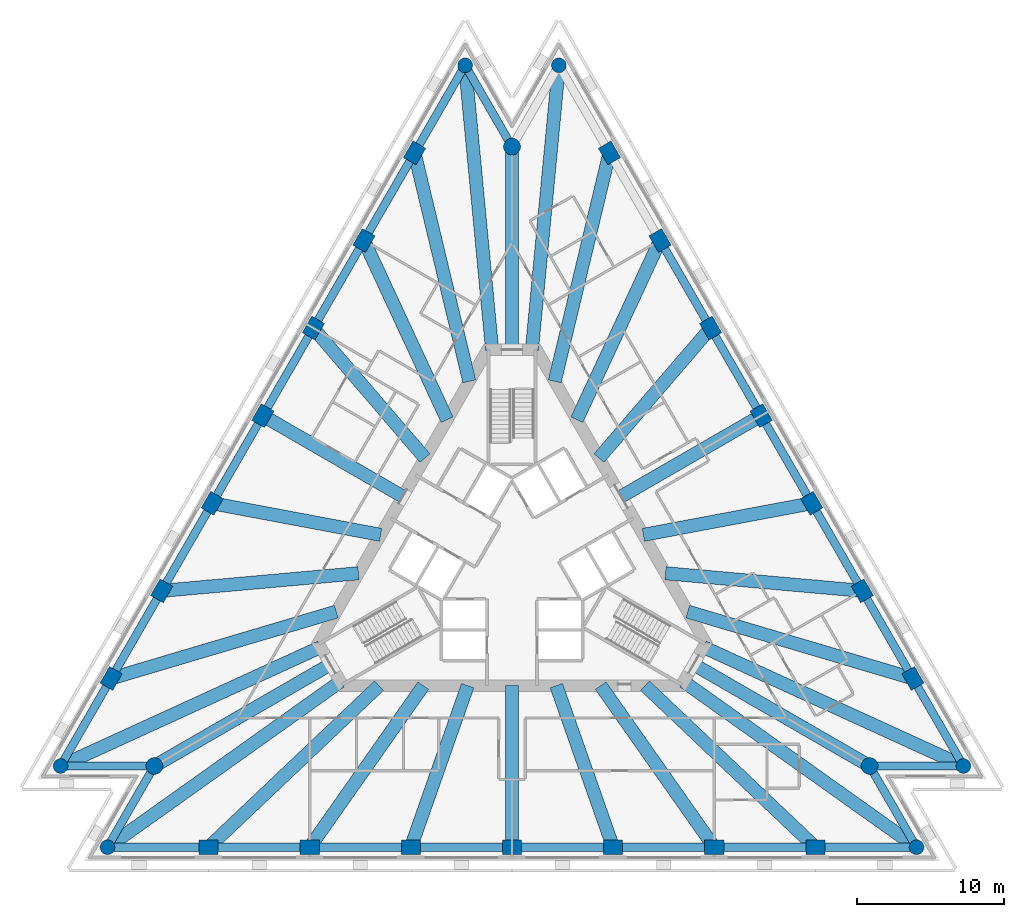
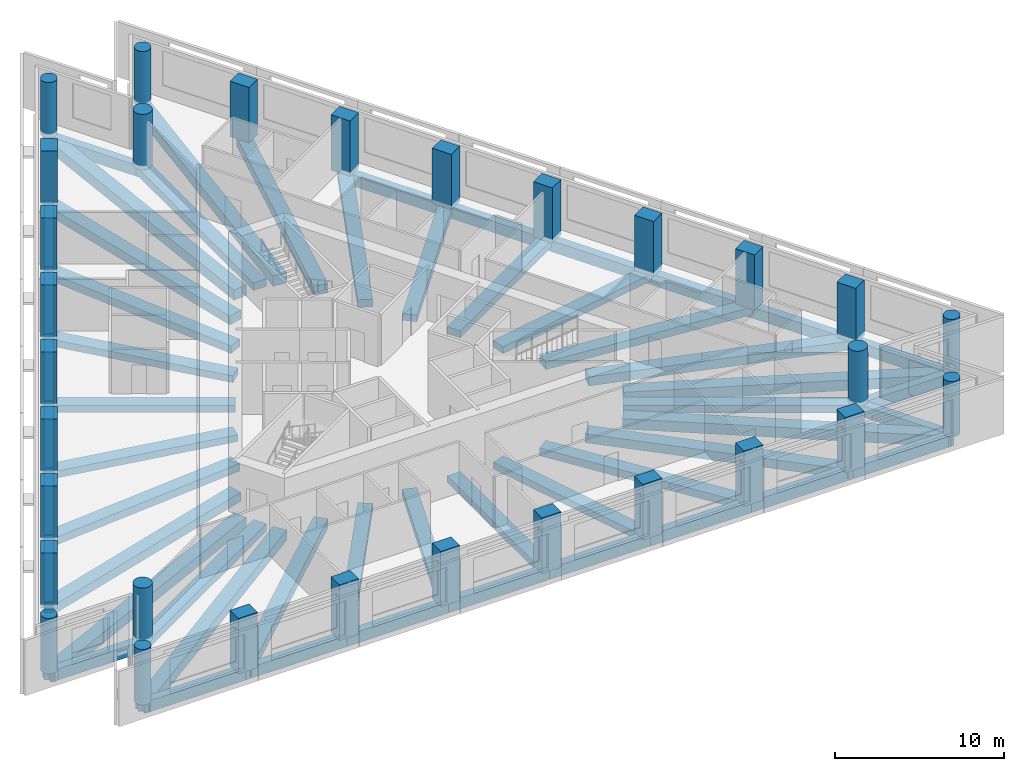
# One storey, part 1 of 10: 57 beams, 30 columns.
"""IFC4 building model written with IfcOpenShell, lengths in metres."""

from ifc_helpers import new_model, si_unit, direction, frame, origin, origin_2d, place, context, subcontext, project, spatial, rectangle, circle, extrude, material, material_profile, profile_set, type_object, element, save


model = new_model("IFC4")

# Units and contexts
model_context = context("Model", 3, precision=1e-05, world=origin(), true_north=direction((0.0, 1.0)))
body_context = subcontext(model_context, "Body", "Model", "MODEL_VIEW")
ifc_project = project(units=[si_unit("LENGTHUNIT", "METRE"), si_unit("AREAUNIT", "SQUARE_METRE"), si_unit("VOLUMEUNIT", "CUBIC_METRE"), si_unit("PLANEANGLEUNIT", "RADIAN"), si_unit("MASSUNIT", "GRAM", prefix="KILO")], contexts=[model_context])

# Site, building, storey
site_placement = place(None, origin())
site = spatial("IfcSite", under=ifc_project, at=site_placement, CompositionType="ELEMENT")
building_placement = place(site_placement, origin())
building = spatial("IfcBuilding", under=site, at=building_placement, Name="Triada Interchange Tower", CompositionType="ELEMENT")
storey_placement = place(building_placement, frame((0.0, 0.0, 116.300048828125)))
storey = spatial("IfcBuildingStorey", under=building, at=storey_placement, Name="L26", CompositionType="ELEMENT", Elevation=116.300048828125)

# Columns
ifc_material_1 = material(Name="Concrete C60/75", Category="concrete")
ifc_material_profile_1 = material_profile(ifc_material_1, rectangle(XDim=1.300048828125, YDim=1.0, at=origin_2d()), Name="RC 1300x1000")
ifc_profile_set_1 = profile_set([ifc_material_profile_1], Name="Concrete C60/75")
column_type_1 = type_object("IfcColumnType", Name="Column B face RC 1300x1000", PredefinedType="COLUMN", material=ifc_profile_set_1)
for number, where, z_axis, x_axis, name in (
    (1, (-6.64794921875, 27.73291015625, -0.300048828125), (0.0, 0.0, 1.0), (0.5, 0.866025403784, 0.0), "Column CB02 L26"),
    (2, (-10.096923828125, 21.760009765625, -0.300048828125), (0.0, 0.0, 1.0), (0.5, 0.866025403784, 0.0), "Column CB03 L26"),
    (3, (-13.5458984375, 15.785888671875, -0.300048828125), (0.0, 0.0, 1.0), (0.5, 0.866025403784, 0.0), "Column CB04 L26"),
    (4, (-16.9951171875, 9.81201171875, -0.300048828125), (0.0, 0.0, 1.0), (0.5, 0.866025403784, 0.0), "Column CB05 L26"),
    (5, (-20.443115234375, 3.837890625, -0.300048828125), (0.0, 0.0, 1.0), (0.5, 0.866025403784, 0.0), "Column CB06 L26"),
    (6, (-23.89208984375, -2.135986328125, -0.300048828125), (0.0, 0.0, 1.0), (0.5, 0.866025403784, 0.0), "Column CB07 L26"),
    (7, (-27.341064453125, -8.10888671875, -0.300048828125), (0.0, 0.0, 1.0), (0.5, 0.866025403784, 0.0), "Column CB08 L26"),
    (8, (-20.693115234375, -19.6240234375, -0.300048828125), (0.0, 0.0, 1.0), (1.0, 0.0, 0.0), "Column CB11 L26"),
    (9, (-13.7958984375, -19.6240234375, -0.300048828125), (0.0, 0.0, 1.0), (1.0, 0.0, 0.0), "Column CB12 L26"),
    (10, (-6.89794921875, -19.6240234375, -0.300048828125), (0.0, 0.0, 1.0), (1.0, 0.0, 0.0), "Column CB13 L26"),
    (11, (0.0, -19.6240234375, -0.300048828125), (0.0, 0.0, 1.0), (1.0, 0.0, 0.0), "Column CB14 L26"),
    (12, (6.89794921875, -19.6240234375, -0.300048828125), (0.0, 0.0, 1.0), (1.0, 0.0, 0.0), "Column CB15 L26"),
    (13, (13.794921875, -19.6240234375, -0.300048828125), (0.0, 0.0, 1.0), (1.0, 0.0, 0.0), "Column CB16 L26"),
    (14, (20.693115234375, -19.6240234375, -0.300048828125), (0.0, 0.0, 1.0), (1.0, 0.0, 0.0), "Column CB17 L26"),
    (15, (27.341064453125, -8.10888671875, -0.300048828125), (0.0, 0.0, 1.0), (-0.5, 0.866025403784, 0.0), "Column CB20 L26"),
    (16, (23.89208984375, -2.135986328125, -0.300048828125), (0.0, 0.0, 1.0), (-0.5, 0.866025403784, 0.0), "Column CB21 L26"),
    (17, (20.443115234375, 3.837890625, -0.300048828125), (0.0, 0.0, 1.0), (-0.5, 0.866025403784, 0.0), "Column CB22 L26"),
    (18, (16.993896484375, 9.81201171875, -0.300048828125), (0.0, 0.0, 1.0), (-0.5, 0.866025403784, 0.0), "Column CB23 L26"),
    (19, (13.5458984375, 15.785888671875, -0.300048828125), (0.0, 0.0, 1.0), (-0.5, 0.866025403784, 0.0), "Column CB24 L26"),
    (20, (10.096923828125, 21.760009765625, -0.300048828125), (0.0, 0.0, 1.0), (-0.5, 0.866025403784, 0.0), "Column CB25 L26"),
    (21, (6.64794921875, 27.73291015625, -0.300048828125), (0.0, 0.0, 1.0), (-0.5, 0.866025403784, 0.0), "Column CB26 L26"),
):
    element("IfcColumn", number, at=place(storey_placement, frame(where, z_axis=z_axis, x_axis=x_axis)), inside=storey, type_object=column_type_1, Name=name, PredefinedType="COLUMN", context=body_context, shape_type="SweptSolid", body=[
        extrude(rectangle(XDim=1.300048828125, YDim=1.0, at=origin_2d()), origin(), (0.0, 0.0, 1.0), 4.0),
    ])
ifc_material_profile_2 = material_profile(ifc_material_1, circle(Radius=0.5, at=origin_2d()), Name="RC D1000")
ifc_profile_set_2 = profile_set([ifc_material_profile_2], Name="Concrete C60/75")
column_type_2 = type_object("IfcColumnType", Name="End column B RC D1000", PredefinedType="COLUMN", material=ifc_profile_set_2)
for number, where, z_axis, x_axis, name in (
    (22, (-3.198974609375, 33.70703125, -0.300048828125), (0.0, 0.0, 1.0), (0.5, 0.866025403784, 0.0), "Column CB01 L26"),
    (23, (-30.7900390625, -14.0830078125, -0.300048828125), (0.0, 0.0, 1.0), (0.5, 0.866025403784, 0.0), "Column CB09 L26"),
    (24, (-27.591064453125, -19.6240234375, -0.300048828125), (0.0, 0.0, 1.0), (1.0, 0.0, 0.0), "Column CB10 L26"),
    (25, (27.591064453125, -19.6240234375, -0.300048828125), (0.0, 0.0, 1.0), (1.0, 0.0, 0.0), "Column CB18 L26"),
    (26, (30.7900390625, -14.0830078125, -0.300048828125), (0.0, 0.0, 1.0), (-0.5, 0.866025403784, 0.0), "Column CB19 L26"),
    (27, (3.198974609375, 33.70703125, -0.300048828125), (0.0, 0.0, 1.0), (-0.5, 0.866025403784, 0.0), "Column CB27 L26"),
):
    element("IfcColumn", number, at=place(storey_placement, frame(where, z_axis=z_axis, x_axis=x_axis)), inside=storey, type_object=column_type_2, Name=name, PredefinedType="COLUMN", context=body_context, shape_type="SweptSolid", body=[
        extrude(circle(Radius=0.5, at=origin_2d()), origin(), (0.0, 0.0, 1.0), 4.0),
    ])
ifc_material_profile_3 = material_profile(ifc_material_1, circle(Radius=0.574951171875, at=origin_2d()), Name="RC D1150")
ifc_profile_set_3 = profile_set([ifc_material_profile_3], Name="Concrete C60/75")
column_type_3 = type_object("IfcColumnType", Name="Mega column B RC D1150", PredefinedType="COLUMN", material=ifc_profile_set_3)
for number, where, z_axis, x_axis, name in (
    (28, (0.0, 28.1650390625, -0.300048828125), (0.0, 0.0, 1.0), (1.0, 0.0, 0.0), "Column MB1 L26"),
    (29, (-24.39111328125, -14.0830078125, -0.300048828125), (0.0, 0.0, 1.0), (1.0, 0.0, 0.0), "Column MB2 L26"),
    (30, (24.39111328125, -14.0830078125, -0.300048828125), (0.0, 0.0, 1.0), (1.0, 0.0, 0.0), "Column MB3 L26"),
):
    element("IfcColumn", number, at=place(storey_placement, frame(where, z_axis=z_axis, x_axis=x_axis)), inside=storey, type_object=column_type_3, Name=name, PredefinedType="COLUMN", context=body_context, shape_type="SweptSolid", body=[
        extrude(circle(Radius=0.574951171875, at=origin_2d()), origin(), (0.0, 0.0, 1.0), 4.0),
    ])

# Beams
ifc_material_2 = material(Name="Concrete C50/60", Category="concrete")
ifc_material_profile_4 = material_profile(ifc_material_2, rectangle(XDim=0.89990234375, YDim=0.5, at=origin_2d()), Name="RC 900x500")
ifc_profile_set_4 = profile_set([ifc_material_profile_4], Name="Concrete C50/60")
beam_type_1 = type_object("IfcBeamType", Name="Radial band beam B RC 900x500", PredefinedType="BEAM", material=ifc_profile_set_4)
beam_1_placement = place(storey_placement, frame((-13.5458984375, 15.785888671875, -0.550048828125), z_axis=(0.65122485191, -0.758884834646, 0.0), x_axis=(0.758884834646, 0.65122485191, 0.0)))
element("IfcBeam", 31, at=beam_1_placement, inside=storey, type_object=beam_type_1, Name="Radial band beam BB04 L26", PredefinedType="BEAM", context=body_context, shape_type="SweptSolid", body=[
    extrude(rectangle(XDim=0.89990234375, YDim=0.5, at=origin_2d()), origin(), (0.0, 0.0, 1.0), 11.685546875),
])
beam_2_placement = place(storey_placement, frame((-16.9951171875, 9.81201171875, -0.550048828125), z_axis=(0.866028110691, -0.499995311471, 0.0), x_axis=(0.499995311471, 0.866028110691, 0.0)))
element("IfcBeam", 32, at=beam_2_placement, inside=storey, type_object=beam_type_1, Name="Radial band beam BB05 L26", PredefinedType="BEAM", context=body_context, shape_type="SweptSolid", body=[
    extrude(rectangle(XDim=0.89990234375, YDim=0.5, at=origin_2d()), origin(), (0.0, 0.0, 1.0), 11.02392578125),
])
beam_3_placement = place(storey_placement, frame((-20.443115234375, 3.837890625, -0.550048828125), z_axis=(0.982829821209, -0.184514342377, 0.0), x_axis=(0.184514342377, 0.982829821209, 0.0)))
element("IfcBeam", 33, at=beam_3_placement, inside=storey, type_object=beam_type_1, Name="Radial band beam BB06 L26", PredefinedType="BEAM", context=body_context, shape_type="SweptSolid", body=[
    extrude(rectangle(XDim=0.89990234375, YDim=0.5, at=origin_2d()), origin(), (0.0, 0.0, 1.0), 11.684814453125),
])
beam_4_placement = place(storey_placement, frame((-6.89794921875, -19.6240234375, -0.550048828125), z_axis=(0.331617681755, 0.943413861011, 0.0), x_axis=(-0.943413861011, 0.331617681755, 0.0)))
element("IfcBeam", 34, at=beam_4_placement, inside=storey, type_object=beam_type_1, Name="Radial band beam BB14 L26", PredefinedType="BEAM", context=body_context, shape_type="SweptSolid", body=[
    extrude(rectangle(XDim=0.89990234375, YDim=0.5, at=origin_2d()), origin(), (0.0, 0.0, 1.0), 11.68505859375),
])
beam_5_placement = place(storey_placement, frame((0.0, -19.6240234375, -0.550048828125), z_axis=(0.0, 1.0, 0.0), x_axis=(-1.0, 0.0, 0.0)))
element("IfcBeam", 35, at=beam_5_placement, inside=storey, type_object=beam_type_1, Name="Radial band beam BB15 L26", PredefinedType="BEAM", context=body_context, shape_type="SweptSolid", body=[
    extrude(rectangle(XDim=0.89990234375, YDim=0.5, at=origin_2d()), origin(), (0.0, 0.0, 1.0), 11.02392578125),
])
beam_6_placement = place(storey_placement, frame((6.89794921875, -19.6240234375, -0.550048828125), z_axis=(-0.331617681755, 0.943413861011, 0.0), x_axis=(-0.943413861011, -0.331617681755, 0.0)))
element("IfcBeam", 36, at=beam_6_placement, inside=storey, type_object=beam_type_1, Name="Radial band beam BB16 L26", PredefinedType="BEAM", context=body_context, shape_type="SweptSolid", body=[
    extrude(rectangle(XDim=0.89990234375, YDim=0.5, at=origin_2d()), origin(), (0.0, 0.0, 1.0), 11.68505859375),
])
beam_7_placement = place(storey_placement, frame((20.443115234375, 3.837890625, -0.550048828125), z_axis=(-0.982829821209, -0.184514342377, 0.0), x_axis=(0.184514342377, -0.982829821209, 0.0)))
element("IfcBeam", 37, at=beam_7_placement, inside=storey, type_object=beam_type_1, Name="Radial band beam BB24 L26", PredefinedType="BEAM", context=body_context, shape_type="SweptSolid", body=[
    extrude(rectangle(XDim=0.89990234375, YDim=0.5, at=origin_2d()), origin(), (0.0, 0.0, 1.0), 11.684814453125),
])
beam_8_placement = place(storey_placement, frame((16.993896484375, 9.81201171875, -0.550048828125), z_axis=(-0.866022574079, -0.500004901161, 0.0), x_axis=(0.500004901161, -0.866022574079, 0.0)))
element("IfcBeam", 38, at=beam_8_placement, inside=storey, type_object=beam_type_1, Name="Radial band beam BB25 L26", PredefinedType="BEAM", context=body_context, shape_type="SweptSolid", body=[
    extrude(rectangle(XDim=0.89990234375, YDim=0.5, at=origin_2d()), origin(), (0.0, 0.0, 1.0), 11.02392578125),
])
beam_9_placement = place(storey_placement, frame((13.5458984375, 15.785888671875, -0.550048828125), z_axis=(-0.65122485191, -0.758884834646, 0.0), x_axis=(0.758884834646, -0.65122485191, 0.0)))
element("IfcBeam", 39, at=beam_9_placement, inside=storey, type_object=beam_type_1, Name="Radial band beam BB26 L26", PredefinedType="BEAM", context=body_context, shape_type="SweptSolid", body=[
    extrude(rectangle(XDim=0.89990234375, YDim=0.5, at=origin_2d()), origin(), (0.0, 0.0, 1.0), 11.685546875),
])
ifc_material_profile_5 = material_profile(ifc_material_2, rectangle(XDim=0.89990234375, YDim=0.550048828125, at=origin_2d()), Name="RC 900x550")
ifc_profile_set_5 = profile_set([ifc_material_profile_5], Name="Concrete C50/60")
beam_type_2 = type_object("IfcBeamType", Name="Radial band beam B RC 900x550", PredefinedType="BEAM", material=ifc_profile_set_5)
beam_10_placement = place(storey_placement, frame((-10.096923828125, 21.760009765625, -0.574951171875), z_axis=(0.420890926073, -0.90711125467, 0.0), x_axis=(0.90711125467, 0.420890926073, 0.0)))
element("IfcBeam", 40, at=beam_10_placement, inside=storey, type_object=beam_type_2, Name="Radial band beam BB03 L26", PredefinedType="BEAM", context=body_context, shape_type="SweptSolid", body=[
    extrude(rectangle(XDim=0.89990234375, YDim=0.550048828125, at=origin_2d()), origin(), (0.0, 0.0, 1.0), 13.475830078125),
])
beam_11_placement = place(storey_placement, frame((-23.89208984375, -2.135986328125, -0.574951171875), z_axis=(0.996026950765, 0.089052306823, 0.0), x_axis=(-0.089052306823, 0.996026950765, 0.0)))
element("IfcBeam", 41, at=beam_11_placement, inside=storey, type_object=beam_type_2, Name="Radial band beam BB07 L26", PredefinedType="BEAM", context=body_context, shape_type="SweptSolid", body=[
    extrude(rectangle(XDim=0.89990234375, YDim=0.550048828125, at=origin_2d()), origin(), (0.0, 0.0, 1.0), 13.474609375),
])
beam_12_placement = place(storey_placement, frame((-24.39111328125, -14.0830078125, -0.574951171875), z_axis=(0.865999963625, 0.500044061061, 0.0), x_axis=(-0.500044061061, 0.865999963625, 0.0)))
element("IfcBeam", 42, at=beam_12_placement, inside=storey, type_object=beam_type_2, Name="Radial band beam BB10 L26", PredefinedType="BEAM", context=body_context, shape_type="SweptSolid", body=[
    extrude(rectangle(XDim=0.89990234375, YDim=0.550048828125, at=origin_2d()), origin(), (0.0, 0.0, 1.0), 13.864990234375),
])
beam_13_placement = place(storey_placement, frame((-13.7958984375, -19.6240234375, -0.574951171875), z_axis=(0.575117268958, 0.818070979162, 0.0), x_axis=(-0.818070979162, 0.575117268958, 0.0)))
element("IfcBeam", 43, at=beam_13_placement, inside=storey, type_object=beam_type_2, Name="Radial band beam BB13 L26", PredefinedType="BEAM", context=body_context, shape_type="SweptSolid", body=[
    extrude(rectangle(XDim=0.89990234375, YDim=0.550048828125, at=origin_2d()), origin(), (0.0, 0.0, 1.0), 13.4755859375),
])
beam_14_placement = place(storey_placement, frame((13.794921875, -19.6240234375, -0.574951171875), z_axis=(-0.575068766486, 0.818105075044, 0.0), x_axis=(-0.818105075044, -0.575068766486, 0.0)))
element("IfcBeam", 44, at=beam_14_placement, inside=storey, type_object=beam_type_2, Name="Radial band beam BB17 L26", PredefinedType="BEAM", context=body_context, shape_type="SweptSolid", body=[
    extrude(rectangle(XDim=0.89990234375, YDim=0.550048828125, at=origin_2d()), origin(), (0.0, 0.0, 1.0), 13.474853515625),
])
beam_15_placement = place(storey_placement, frame((24.39111328125, -14.0830078125, -0.574951171875), z_axis=(-0.865999963625, 0.500044061061, 0.0), x_axis=(-0.500044061061, -0.865999963625, 0.0)))
element("IfcBeam", 45, at=beam_15_placement, inside=storey, type_object=beam_type_2, Name="Radial band beam BB20 L26", PredefinedType="BEAM", context=body_context, shape_type="SweptSolid", body=[
    extrude(rectangle(XDim=0.89990234375, YDim=0.550048828125, at=origin_2d()), origin(), (0.0, 0.0, 1.0), 13.864990234375),
])
beam_16_placement = place(storey_placement, frame((23.89208984375, -2.135986328125, -0.574951171875), z_axis=(-0.996026950765, 0.089052306823, 0.0), x_axis=(-0.089052306823, -0.996026950765, 0.0)))
element("IfcBeam", 46, at=beam_16_placement, inside=storey, type_object=beam_type_2, Name="Radial band beam BB23 L26", PredefinedType="BEAM", context=body_context, shape_type="SweptSolid", body=[
    extrude(rectangle(XDim=0.89990234375, YDim=0.550048828125, at=origin_2d()), origin(), (0.0, 0.0, 1.0), 13.474609375),
])
beam_17_placement = place(storey_placement, frame((10.096923828125, 21.760009765625, -0.574951171875), z_axis=(-0.420890926073, -0.90711125467, 0.0), x_axis=(0.90711125467, -0.420890926073, 0.0)))
element("IfcBeam", 47, at=beam_17_placement, inside=storey, type_object=beam_type_2, Name="Radial band beam BB27 L26", PredefinedType="BEAM", context=body_context, shape_type="SweptSolid", body=[
    extrude(rectangle(XDim=0.89990234375, YDim=0.550048828125, at=origin_2d()), origin(), (0.0, 0.0, 1.0), 13.475830078125),
])
beam_18_placement = place(storey_placement, frame((0.0, 28.1650390625, -0.574951171875), z_axis=(0.0, -1.0, 0.0), x_axis=(1.0, 0.0, 0.0)))
element("IfcBeam", 48, at=beam_18_placement, inside=storey, type_object=beam_type_2, Name="Radial band beam BB30 L26", PredefinedType="BEAM", context=body_context, shape_type="SweptSolid", body=[
    extrude(rectangle(XDim=0.89990234375, YDim=0.550048828125, at=origin_2d()), origin(), (0.0, 0.0, 1.0), 13.864990234375),
])
ifc_material_profile_6 = material_profile(ifc_material_2, rectangle(XDim=0.89990234375, YDim=0.64990234375, at=origin_2d()), Name="RC 900x650")
ifc_profile_set_6 = profile_set([ifc_material_profile_6], Name="Concrete C50/60")
beam_type_3 = type_object("IfcBeamType", Name="Radial band beam B RC 900x650", PredefinedType="BEAM", material=ifc_profile_set_6)
beam_19_placement = place(storey_placement, frame((-6.64794921875, 27.73291015625, -0.625), z_axis=(0.233119352919, -0.972448130902, 0.0), x_axis=(0.972448130902, 0.233119352919, 0.0)))
element("IfcBeam", 49, at=beam_19_placement, inside=storey, type_object=beam_type_3, Name="Radial band beam BB02 L26", PredefinedType="BEAM", context=body_context, shape_type="SweptSolid", body=[
    extrude(rectangle(XDim=0.89990234375, YDim=0.64990234375, at=origin_2d()), origin(), (0.0, 0.0, 1.0), 16.021240234375),
])
beam_20_placement = place(storey_placement, frame((-27.341064453125, -8.10888671875, -0.625), z_axis=(0.958728747557, 0.284322332234, 0.0), x_axis=(-0.284322332234, 0.958728747557, 0.0)))
element("IfcBeam", 50, at=beam_20_placement, inside=storey, type_object=beam_type_3, Name="Radial band beam BB08 L26", PredefinedType="BEAM", context=body_context, shape_type="SweptSolid", body=[
    extrude(rectangle(XDim=0.89990234375, YDim=0.64990234375, at=origin_2d()), origin(), (0.0, 0.0, 1.0), 16.020263671875),
])
for number, where, z_axis, x_axis, name in (
    (51, (-20.693115234375, -19.6240234375, -0.625), (0.725617029515, 0.688098776687, 0.0), (-0.688098776687, 0.725617029515, 0.0), "Radial band beam BB12 L26"),
    (52, (20.693115234375, -19.6240234375, -0.625), (-0.725617029515, 0.688098776687, 0.0), (-0.688098776687, -0.725617029515, 0.0), "Radial band beam BB18 L26"),
):
    element("IfcBeam", number, at=place(storey_placement, frame(where, z_axis=z_axis, x_axis=x_axis)), inside=storey, type_object=beam_type_3, Name=name, PredefinedType="BEAM", context=body_context, shape_type="SweptSolid", body=[
        extrude(rectangle(XDim=0.89990234375, YDim=0.64990234375, at=origin_2d()), origin(), (0.0, 0.0, 1.0), 16.020751953125),
    ])
beam_21_placement = place(storey_placement, frame((27.341064453125, -8.10888671875, -0.625), z_axis=(-0.958728747557, 0.284322332234, 0.0), x_axis=(-0.284322332234, -0.958728747557, 0.0)))
element("IfcBeam", 53, at=beam_21_placement, inside=storey, type_object=beam_type_3, Name="Radial band beam BB22 L26", PredefinedType="BEAM", context=body_context, shape_type="SweptSolid", body=[
    extrude(rectangle(XDim=0.89990234375, YDim=0.64990234375, at=origin_2d()), origin(), (0.0, 0.0, 1.0), 16.020263671875),
])
beam_22_placement = place(storey_placement, frame((6.64794921875, 27.73291015625, -0.625), z_axis=(-0.233119352919, -0.972448130902, 0.0), x_axis=(0.972448130902, -0.233119352919, 0.0)))
element("IfcBeam", 54, at=beam_22_placement, inside=storey, type_object=beam_type_3, Name="Radial band beam BB28 L26", PredefinedType="BEAM", context=body_context, shape_type="SweptSolid", body=[
    extrude(rectangle(XDim=0.89990234375, YDim=0.64990234375, at=origin_2d()), origin(), (0.0, 0.0, 1.0), 16.021240234375),
])
ifc_material_profile_7 = material_profile(ifc_material_2, rectangle(XDim=0.89990234375, YDim=0.75, at=origin_2d()), Name="RC 900x750")
ifc_profile_set_7 = profile_set([ifc_material_profile_7], Name="Concrete C50/60")
beam_type_4 = type_object("IfcBeamType", Name="Radial band beam B RC 900x750", PredefinedType="BEAM", material=ifc_profile_set_7)
for number, where, z_axis, x_axis, name in (
    (55, (-3.198974609375, 33.70703125, -0.675048828125), (0.094491716209, -0.99552564787, 0.0), (0.99552564787, 0.094491716209, 0.0), "Radial band beam BB01 L26"),
    (56, (-30.7900390625, -14.0830078125, -0.675048828125), (0.909403293922, 0.415915434918, 0.0), (-0.415915434918, 0.909403293922, 0.0), "Radial band beam BB09 L26"),
):
    element("IfcBeam", number, at=place(storey_placement, frame(where, z_axis=z_axis, x_axis=x_axis)), inside=storey, type_object=beam_type_4, Name=name, PredefinedType="BEAM", context=body_context, shape_type="SweptSolid", body=[
        extrude(rectangle(XDim=0.89990234375, YDim=0.75, at=origin_2d()), origin(), (0.0, 0.0, 1.0), 19.494140625),
    ])
for number, where, z_axis, x_axis, name in (
    (57, (-27.591064453125, -19.6240234375, -0.675048828125), (0.814897882072, 0.579604556396, 0.0), (-0.579604556396, 0.814897882072, 0.0), "Radial band beam BB11 L26"),
    (58, (27.591064453125, -19.6240234375, -0.675048828125), (-0.814897882072, 0.579604556396, 0.0), (-0.579604556396, -0.814897882072, 0.0), "Radial band beam BB19 L26"),
):
    element("IfcBeam", number, at=place(storey_placement, frame(where, z_axis=z_axis, x_axis=x_axis)), inside=storey, type_object=beam_type_4, Name=name, PredefinedType="BEAM", context=body_context, shape_type="SweptSolid", body=[
        extrude(rectangle(XDim=0.89990234375, YDim=0.75, at=origin_2d()), origin(), (0.0, 0.0, 1.0), 19.494384765625),
    ])
for number, where, z_axis, x_axis, name in (
    (59, (30.7900390625, -14.0830078125, -0.675048828125), (-0.909403293922, 0.415915434918, 0.0), (-0.415915434918, -0.909403293922, 0.0), "Radial band beam BB21 L26"),
    (60, (3.198974609375, 33.70703125, -0.675048828125), (-0.094491716209, -0.99552564787, 0.0), (0.99552564787, -0.094491716209, 0.0), "Radial band beam BB29 L26"),
):
    element("IfcBeam", number, at=place(storey_placement, frame(where, z_axis=z_axis, x_axis=x_axis)), inside=storey, type_object=beam_type_4, Name=name, PredefinedType="BEAM", context=body_context, shape_type="SweptSolid", body=[
        extrude(rectangle(XDim=0.89990234375, YDim=0.75, at=origin_2d()), origin(), (0.0, 0.0, 1.0), 19.494140625),
    ])
ifc_material_profile_8 = material_profile(ifc_material_2, rectangle(XDim=0.550048828125, YDim=0.800048828125, at=origin_2d()), Name="RC 550x800")
ifc_profile_set_8 = profile_set([ifc_material_profile_8], Name="Concrete C50/60")
beam_type_5 = type_object("IfcBeamType", Name="Spandrel beam B RC 550x800", PredefinedType="BEAM", material=ifc_profile_set_8)
beam_23_placement = place(storey_placement, frame((-3.198974609375, 33.70703125, -0.699951171875), z_axis=(-0.499979797689, -0.86603706728, 0.0), x_axis=(0.86603706728, -0.499979797689, 0.0)))
element("IfcBeam", 61, at=beam_23_placement, inside=storey, type_object=beam_type_5, Name="Spandrel beam EB01 L26", PredefinedType="BEAM", context=body_context, shape_type="SweptSolid", body=[
    extrude(rectangle(XDim=0.550048828125, YDim=0.800048828125, at=origin_2d()), origin(), (0.0, 0.0, 1.0), 6.898193359375),
])
beam_24_placement = place(storey_placement, frame((-6.64794921875, 27.73291015625, -0.699951171875), z_axis=(-0.500056430882, -0.865992820948, 0.0), x_axis=(0.865992820948, -0.500056430882, 0.0)))
element("IfcBeam", 62, at=beam_24_placement, inside=storey, type_object=beam_type_5, Name="Spandrel beam EB02 L26", PredefinedType="BEAM", context=body_context, shape_type="SweptSolid", body=[
    extrude(rectangle(XDim=0.550048828125, YDim=0.800048828125, at=origin_2d()), origin(), (0.0, 0.0, 1.0), 6.897216796875),
])
for number, where, z_axis, x_axis, name in (
    (63, (-10.096923828125, 21.760009765625, -0.699951171875), (-0.499979797689, -0.86603706728, 0.0), (0.86603706728, -0.499979797689, 0.0), "Spandrel beam EB03 L26"),
    (64, (-13.5458984375, 15.785888671875, -0.699951171875), (-0.500021666885, -0.866012894041, 0.0), (0.866012894041, -0.500021666885, 0.0), "Spandrel beam EB04 L26"),
):
    element("IfcBeam", number, at=place(storey_placement, frame(where, z_axis=z_axis, x_axis=x_axis)), inside=storey, type_object=beam_type_5, Name=name, PredefinedType="BEAM", context=body_context, shape_type="SweptSolid", body=[
        extrude(rectangle(XDim=0.550048828125, YDim=0.800048828125, at=origin_2d()), origin(), (0.0, 0.0, 1.0), 6.898193359375),
    ])
beam_25_placement = place(storey_placement, frame((-16.9951171875, 9.81201171875, -0.699951171875), z_axis=(-0.49987360819, -0.866098363833, 0.0), x_axis=(0.866098363833, -0.49987360819, 0.0)))
element("IfcBeam", 65, at=beam_25_placement, inside=storey, type_object=beam_type_5, Name="Spandrel beam EB05 L26", PredefinedType="BEAM", context=body_context, shape_type="SweptSolid", body=[
    extrude(rectangle(XDim=0.550048828125, YDim=0.800048828125, at=origin_2d()), origin(), (0.0, 0.0, 1.0), 6.897705078125),
])
beam_26_placement = place(storey_placement, frame((-20.443115234375, 3.837890625, -0.699951171875), z_axis=(-0.499995122762, -0.866028219641, 0.0), x_axis=(0.866028219641, -0.499995122762, 0.0)))
element("IfcBeam", 66, at=beam_26_placement, inside=storey, type_object=beam_type_5, Name="Spandrel beam EB06 L26", PredefinedType="BEAM", context=body_context, shape_type="SweptSolid", body=[
    extrude(rectangle(XDim=0.550048828125, YDim=0.800048828125, at=origin_2d()), origin(), (0.0, 0.0, 1.0), 6.89794921875),
])
beam_27_placement = place(storey_placement, frame((-23.89208984375, -2.135986328125, -0.699951171875), z_axis=(-0.500056430882, -0.865992820948, 0.0), x_axis=(0.865992820948, -0.500056430882, 0.0)))
element("IfcBeam", 67, at=beam_27_placement, inside=storey, type_object=beam_type_5, Name="Spandrel beam EB07 L26", PredefinedType="BEAM", context=body_context, shape_type="SweptSolid", body=[
    extrude(rectangle(XDim=0.550048828125, YDim=0.800048828125, at=origin_2d()), origin(), (0.0, 0.0, 1.0), 6.897216796875),
])
beam_28_placement = place(storey_placement, frame((-27.341064453125, -8.10888671875, -0.699951171875), z_axis=(-0.499979797689, -0.86603706728, 0.0), x_axis=(0.86603706728, -0.499979797689, 0.0)))
element("IfcBeam", 68, at=beam_28_placement, inside=storey, type_object=beam_type_5, Name="Spandrel beam EB08 L26", PredefinedType="BEAM", context=body_context, shape_type="SweptSolid", body=[
    extrude(rectangle(XDim=0.550048828125, YDim=0.800048828125, at=origin_2d()), origin(), (0.0, 0.0, 1.0), 6.898193359375),
])
beam_29_placement = place(storey_placement, frame((-30.7900390625, -14.0830078125, -0.699951171875), z_axis=(1.0, 0.0, 0.0), x_axis=(0.0, 1.0, 0.0)))
element("IfcBeam", 69, at=beam_29_placement, inside=storey, type_object=beam_type_5, Name="Spandrel beam EB09 L26", PredefinedType="BEAM", context=body_context, shape_type="SweptSolid", body=[
    extrude(rectangle(XDim=0.550048828125, YDim=0.800048828125, at=origin_2d()), origin(), (0.0, 0.0, 1.0), 6.39892578125),
])
beam_30_placement = place(storey_placement, frame((-24.39111328125, -14.0830078125, -0.699951171875), z_axis=(-0.500098960312, -0.865968261482, 0.0), x_axis=(0.865968261482, -0.500098960312, 0.0)))
element("IfcBeam", 70, at=beam_30_placement, inside=storey, type_object=beam_type_5, Name="Spandrel beam EB10 L26", PredefinedType="BEAM", context=body_context, shape_type="SweptSolid", body=[
    extrude(rectangle(XDim=0.550048828125, YDim=0.800048828125, at=origin_2d()), origin(), (0.0, 0.0, 1.0), 6.398681640625),
])
beam_31_placement = place(storey_placement, frame((-27.591064453125, -19.6240234375, -0.699951171875), z_axis=(1.0, 0.0, 0.0), x_axis=(0.0, 1.0, 0.0)))
element("IfcBeam", 71, at=beam_31_placement, inside=storey, type_object=beam_type_5, Name="Spandrel beam EB11 L26", PredefinedType="BEAM", context=body_context, shape_type="SweptSolid", body=[
    extrude(rectangle(XDim=0.550048828125, YDim=0.800048828125, at=origin_2d()), origin(), (0.0, 0.0, 1.0), 6.89794921875),
])
beam_32_placement = place(storey_placement, frame((-20.693115234375, -19.6240234375, -0.699951171875), z_axis=(1.0, 0.0, 0.0), x_axis=(0.0, 1.0, 0.0)))
element("IfcBeam", 72, at=beam_32_placement, inside=storey, type_object=beam_type_5, Name="Spandrel beam EB12 L26", PredefinedType="BEAM", context=body_context, shape_type="SweptSolid", body=[
    extrude(rectangle(XDim=0.550048828125, YDim=0.800048828125, at=origin_2d()), origin(), (0.0, 0.0, 1.0), 6.897216796875),
])
for number, where, z_axis, x_axis, name in (
    (73, (-13.7958984375, -19.6240234375, -0.699951171875), (1.0, 0.0, 0.0), (0.0, 1.0, 0.0), "Spandrel beam EB13 L26"),
    (74, (-6.89794921875, -19.6240234375, -0.699951171875), (1.0, 0.0, 0.0), (0.0, 1.0, 0.0), "Spandrel beam EB14 L26"),
    (75, (0.0, -19.6240234375, -0.699951171875), (1.0, 0.0, 0.0), (0.0, 1.0, 0.0), "Spandrel beam EB15 L26"),
):
    element("IfcBeam", number, at=place(storey_placement, frame(where, z_axis=z_axis, x_axis=x_axis)), inside=storey, type_object=beam_type_5, Name=name, PredefinedType="BEAM", context=body_context, shape_type="SweptSolid", body=[
        extrude(rectangle(XDim=0.550048828125, YDim=0.800048828125, at=origin_2d()), origin(), (0.0, 0.0, 1.0), 6.89794921875),
    ])
beam_33_placement = place(storey_placement, frame((6.89794921875, -19.6240234375, -0.699951171875), z_axis=(1.0, 0.0, 0.0), x_axis=(0.0, 1.0, 0.0)))
element("IfcBeam", 76, at=beam_33_placement, inside=storey, type_object=beam_type_5, Name="Spandrel beam EB16 L26", PredefinedType="BEAM", context=body_context, shape_type="SweptSolid", body=[
    extrude(rectangle(XDim=0.550048828125, YDim=0.800048828125, at=origin_2d()), origin(), (0.0, 0.0, 1.0), 6.89697265625),
])
beam_34_placement = place(storey_placement, frame((13.794921875, -19.6240234375, -0.699951171875), z_axis=(1.0, 0.0, 0.0), x_axis=(0.0, 1.0, 0.0)))
element("IfcBeam", 77, at=beam_34_placement, inside=storey, type_object=beam_type_5, Name="Spandrel beam EB17 L26", PredefinedType="BEAM", context=body_context, shape_type="SweptSolid", body=[
    extrude(rectangle(XDim=0.550048828125, YDim=0.800048828125, at=origin_2d()), origin(), (0.0, 0.0, 1.0), 6.898193359375),
])
beam_35_placement = place(storey_placement, frame((20.693115234375, -19.6240234375, -0.699951171875), z_axis=(1.0, 0.0, 0.0), x_axis=(0.0, 1.0, 0.0)))
element("IfcBeam", 78, at=beam_35_placement, inside=storey, type_object=beam_type_5, Name="Spandrel beam EB18 L26", PredefinedType="BEAM", context=body_context, shape_type="SweptSolid", body=[
    extrude(rectangle(XDim=0.550048828125, YDim=0.800048828125, at=origin_2d()), origin(), (0.0, 0.0, 1.0), 6.89794921875),
])
beam_36_placement = place(storey_placement, frame((27.591064453125, -19.6240234375, -0.699951171875), z_axis=(-0.500098960312, 0.865968261482, 0.0), x_axis=(-0.865968261482, -0.500098960312, 0.0)))
element("IfcBeam", 79, at=beam_36_placement, inside=storey, type_object=beam_type_5, Name="Spandrel beam EB19 L26", PredefinedType="BEAM", context=body_context, shape_type="SweptSolid", body=[
    extrude(rectangle(XDim=0.550048828125, YDim=0.800048828125, at=origin_2d()), origin(), (0.0, 0.0, 1.0), 6.398681640625),
])
beam_37_placement = place(storey_placement, frame((24.39111328125, -14.0830078125, -0.699951171875), z_axis=(1.0, 0.0, 0.0), x_axis=(0.0, 1.0, 0.0)))
element("IfcBeam", 80, at=beam_37_placement, inside=storey, type_object=beam_type_5, Name="Spandrel beam EB20 L26", PredefinedType="BEAM", context=body_context, shape_type="SweptSolid", body=[
    extrude(rectangle(XDim=0.550048828125, YDim=0.800048828125, at=origin_2d()), origin(), (0.0, 0.0, 1.0), 6.39892578125),
])
beam_38_placement = place(storey_placement, frame((30.7900390625, -14.0830078125, -0.699951171875), z_axis=(-0.499979797689, 0.86603706728, 0.0), x_axis=(-0.86603706728, -0.499979797689, 0.0)))
element("IfcBeam", 81, at=beam_38_placement, inside=storey, type_object=beam_type_5, Name="Spandrel beam EB21 L26", PredefinedType="BEAM", context=body_context, shape_type="SweptSolid", body=[
    extrude(rectangle(XDim=0.550048828125, YDim=0.800048828125, at=origin_2d()), origin(), (0.0, 0.0, 1.0), 6.898193359375),
])
beam_39_placement = place(storey_placement, frame((27.341064453125, -8.10888671875, -0.699951171875), z_axis=(-0.500056430882, 0.865992820948, 0.0), x_axis=(-0.865992820948, -0.500056430882, 0.0)))
element("IfcBeam", 82, at=beam_39_placement, inside=storey, type_object=beam_type_5, Name="Spandrel beam EB22 L26", PredefinedType="BEAM", context=body_context, shape_type="SweptSolid", body=[
    extrude(rectangle(XDim=0.550048828125, YDim=0.800048828125, at=origin_2d()), origin(), (0.0, 0.0, 1.0), 6.897216796875),
])
beam_40_placement = place(storey_placement, frame((23.89208984375, -2.135986328125, -0.699951171875), z_axis=(-0.499995122762, 0.866028219641, 0.0), x_axis=(-0.866028219641, -0.499995122762, 0.0)))
element("IfcBeam", 83, at=beam_40_placement, inside=storey, type_object=beam_type_5, Name="Spandrel beam EB23 L26", PredefinedType="BEAM", context=body_context, shape_type="SweptSolid", body=[
    extrude(rectangle(XDim=0.550048828125, YDim=0.800048828125, at=origin_2d()), origin(), (0.0, 0.0, 1.0), 6.89794921875),
])
beam_41_placement = place(storey_placement, frame((20.443115234375, 3.837890625, -0.699951171875), z_axis=(-0.500006341541, 0.866021742463, 0.0), x_axis=(-0.866021742463, -0.500006341541, 0.0)))
element("IfcBeam", 84, at=beam_41_placement, inside=storey, type_object=beam_type_5, Name="Spandrel beam EB24 L26", PredefinedType="BEAM", context=body_context, shape_type="SweptSolid", body=[
    extrude(rectangle(XDim=0.550048828125, YDim=0.800048828125, at=origin_2d()), origin(), (0.0, 0.0, 1.0), 6.8984375),
])
beam_42_placement = place(storey_placement, frame((16.993896484375, 9.81201171875, -0.699951171875), z_axis=(-0.499888932177, 0.866089519326, 0.0), x_axis=(-0.866089519326, -0.499888932177, 0.0)))
element("IfcBeam", 85, at=beam_42_placement, inside=storey, type_object=beam_type_5, Name="Spandrel beam EB25 L26", PredefinedType="BEAM", context=body_context, shape_type="SweptSolid", body=[
    extrude(rectangle(XDim=0.550048828125, YDim=0.800048828125, at=origin_2d()), origin(), (0.0, 0.0, 1.0), 6.8974609375),
])
beam_43_placement = place(storey_placement, frame((13.5458984375, 15.785888671875, -0.699951171875), z_axis=(-0.499979797689, 0.86603706728, 0.0), x_axis=(-0.86603706728, -0.499979797689, 0.0)))
element("IfcBeam", 86, at=beam_43_placement, inside=storey, type_object=beam_type_5, Name="Spandrel beam EB26 L26", PredefinedType="BEAM", context=body_context, shape_type="SweptSolid", body=[
    extrude(rectangle(XDim=0.550048828125, YDim=0.800048828125, at=origin_2d()), origin(), (0.0, 0.0, 1.0), 6.898193359375),
])
beam_44_placement = place(storey_placement, frame((0.0, 28.1650390625, -0.699951171875), z_axis=(-0.49991841402, 0.866072502348, 0.0), x_axis=(-0.866072502348, -0.49991841402, 0.0)))
element("IfcBeam", 87, at=beam_44_placement, inside=storey, type_object=beam_type_5, Name="Spandrel beam EB30 L26", PredefinedType="BEAM", context=body_context, shape_type="SweptSolid", body=[
    extrude(rectangle(XDim=0.550048828125, YDim=0.800048828125, at=origin_2d()), origin(), (0.0, 0.0, 1.0), 6.39892578125),
])

save(model, "model.ifc")
